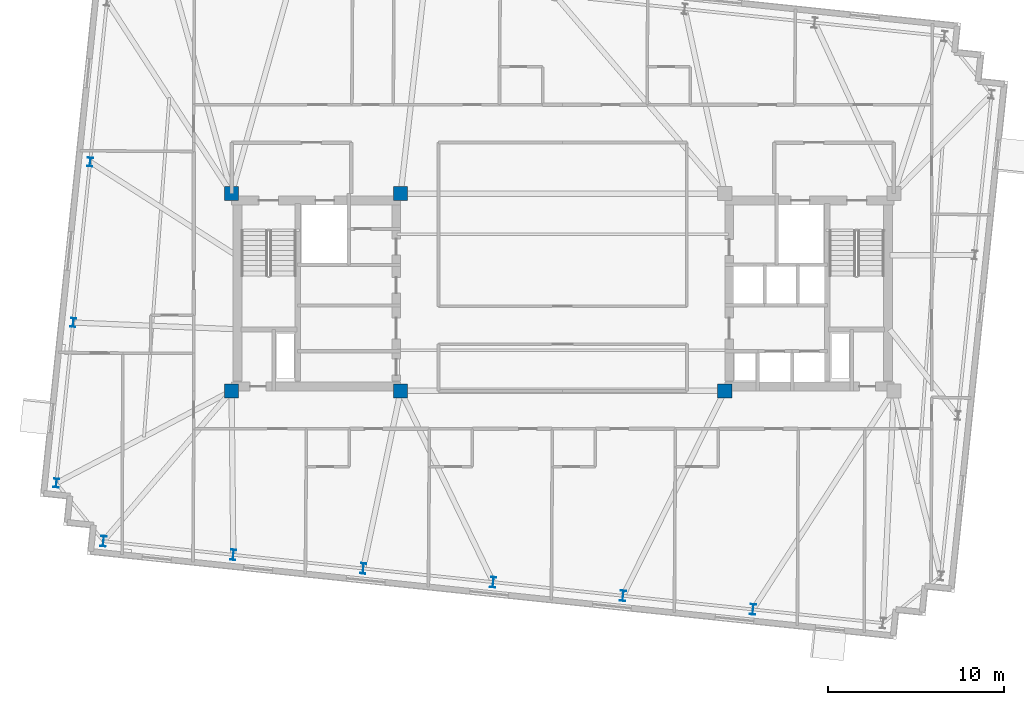
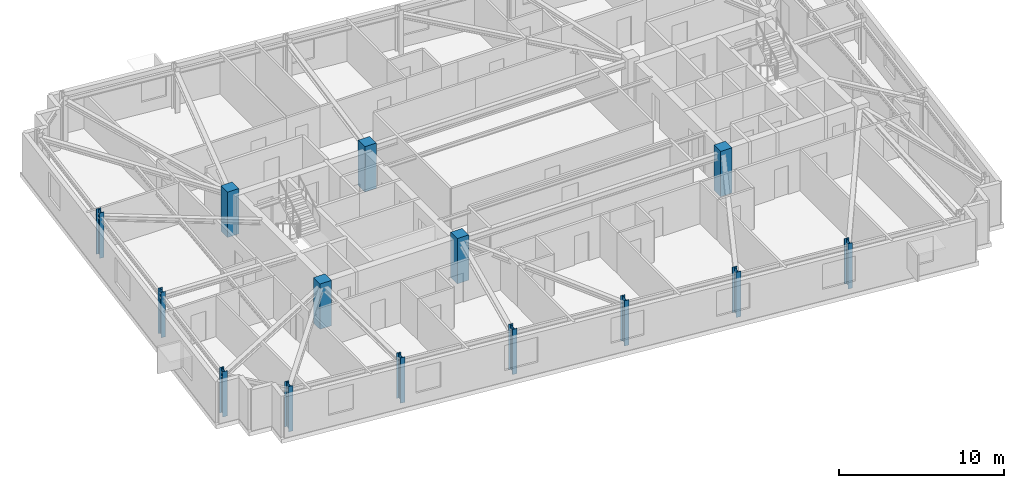
# One storey, part 1 of 11: 14 columns.
"""IFC4 building model written with IfcOpenShell, lengths in metres."""

from ifc_helpers import new_model, si_unit, direction, frame, origin, origin_2d, place, context, subcontext, project, spatial, rectangle, i_section, extrude, material, material_profile, profile_set, type_object, element, save


model = new_model("IFC4")

# Units and contexts
model_context = context("Model", 3, precision=1e-05, world=origin(), true_north=direction((0.0, 1.0)))
body_context = subcontext(model_context, "Body", "Model", "MODEL_VIEW")
ifc_project = project(units=[si_unit("LENGTHUNIT", "METRE"), si_unit("AREAUNIT", "SQUARE_METRE"), si_unit("VOLUMEUNIT", "CUBIC_METRE"), si_unit("PLANEANGLEUNIT", "RADIAN"), si_unit("MASSUNIT", "GRAM", prefix="KILO")], contexts=[model_context])

# Site, building, storey
site_placement = place(None, origin())
site = spatial("IfcSite", under=ifc_project, at=site_placement, CompositionType="ELEMENT")
building_placement = place(site_placement, origin())
building = spatial("IfcBuilding", under=site, at=building_placement, Name="Qobustan Lattice House", CompositionType="ELEMENT")
storey_placement = place(building_placement, frame((0.0, 0.0, 206.449951171875)))
storey = spatial("IfcBuildingStorey", under=building, at=storey_placement, Name="L58", CompositionType="ELEMENT", Elevation=206.449951171875)

# Columns
ifc_material_1 = material(Name="Concrete C50/60", Category="concrete")
ifc_material_profile_1 = material_profile(ifc_material_1, rectangle(XDim=0.800048828125, YDim=0.800048828125, at=origin_2d()), Name="RC800x800")
ifc_profile_set_1 = profile_set([ifc_material_profile_1], Name="Concrete C50/60")
column_type_1 = type_object("IfcColumnType", Name="COL-RC-800", PredefinedType="COLUMN", material=ifc_profile_set_1)
for number, where, z_axis, x_axis, name in (
    (1, (-18.800048828125, -5.60009765625, 0.0), (0.0, 0.0, 1.0), (1.0, 0.0, 0.0), "L58 core mega-column CW-SW"),
    (2, (-18.800048828125, 5.60009765625, 0.0), (0.0, 0.0, 1.0), (1.0, 0.0, 0.0), "L58 core mega-column CW-NW"),
    (3, (-9.199951171875, -5.60009765625, 0.0), (0.0, 0.0, 1.0), (1.0, 0.0, 0.0), "L58 core mega-column CW-SE"),
    (4, (-9.199951171875, 5.60009765625, 0.0), (0.0, 0.0, 1.0), (1.0, 0.0, 0.0), "L58 core mega-column CW-NE"),
    (5, (9.199951171875, -5.60009765625, 0.0), (0.0, 0.0, 1.0), (1.0, 0.0, 0.0), "L58 core mega-column CE-SW"),
):
    element("IfcColumn", number, at=place(storey_placement, frame(where, z_axis=z_axis, x_axis=x_axis)), inside=storey, type_object=column_type_1, Name=name, PredefinedType="COLUMN", context=body_context, shape_type="SweptSolid", body=[
        extrude(rectangle(XDim=0.800048828125, YDim=0.800048828125, at=origin_2d()), origin(), (0.0, 0.0, 1.0), 3.35009765625),
    ])
ifc_material_2 = material(Name="Steel S355", Category="steel")
ifc_material_profile_2 = material_profile(ifc_material_2, i_section(OverallWidth=0.300048828125, OverallDepth=0.5, WebThickness=0.014404296875, FlangeThickness=0.028076171875, FilletRadius=0.027099609375, at=origin_2d()), Name="HEB500")
ifc_profile_set_2 = profile_set([ifc_material_profile_2], Name="Steel S355")
column_type_2 = type_object("IfcColumnType", Name="COL-ST-HEB500", PredefinedType="COLUMN", material=ifc_profile_set_2)
for number, where, z_axis, x_axis, name in (
    (6, (-26.83251953125, 7.397705078125, 0.0), (0.0, 0.0, 1.0), (0.994521895368, -0.104528463268, 0.0), "L58 B4 perimeter column W2"),
    (7, (-27.790771484375, -1.718994140625, 0.0), (0.0, 0.0, 1.0), (0.994521895368, -0.104528463268, 0.0), "L58 B4 perimeter column W3"),
    (8, (-28.748779296875, -10.835205078125, 0.0), (0.0, 0.0, 1.0), (0.994521895368, -0.104528463268, 0.0), "L58 B4 perimeter column W4"),
):
    element("IfcColumn", number, at=place(storey_placement, frame(where, z_axis=z_axis, x_axis=x_axis)), inside=storey, type_object=column_type_2, Name=name, PredefinedType="COLUMN", context=body_context, shape_type="SweptSolid", body=[
        extrude(i_section(OverallWidth=0.300048828125, OverallDepth=0.5, WebThickness=0.014404296875, FlangeThickness=0.028076171875, FilletRadius=0.027099609375, at=origin_2d()), origin(), (0.0, 0.0, 1.0), 3.35009765625),
    ])
ifc_material_3 = material(Name="Steel S355", Category="steel")
ifc_material_profile_3 = material_profile(ifc_material_3, i_section(OverallWidth=0.300048828125, OverallDepth=0.60009765625, WebThickness=0.015380859375, FlangeThickness=0.030029296875, FilletRadius=0.027099609375, at=origin_2d()), Name="HEB600")
ifc_profile_set_3 = profile_set([ifc_material_profile_3], Name="Steel S355")
column_type_3 = type_object("IfcColumnType", Name="COL-ST-HEB600", PredefinedType="COLUMN", material=ifc_profile_set_3)
for number, where, z_axis, x_axis, name in (
    (9, (-26.0791015625, -14.132568359375, 0.0), (0.0, 0.0, 1.0), (0.994521895368, -0.104528463268, 0.0), "L58 B4 perimeter column S1"),
    (10, (-18.702880859375, -14.90771484375, 0.0), (0.0, 0.0, 1.0), (0.994521895368, -0.104528463268, 0.0), "L58 B4 perimeter column S2"),
    (11, (-11.326904296875, -15.68310546875, 0.0), (0.0, 0.0, 1.0), (0.994521895368, -0.104528463268, 0.0), "L58 B4 perimeter column S3"),
    (12, (-3.950927734375, -16.458251953125, 0.0), (0.0, 0.0, 1.0), (0.994521895368, -0.104528463268, 0.0), "L58 B4 perimeter column S4"),
    (13, (3.42529296875, -17.2333984375, 0.0), (0.0, 0.0, 1.0), (0.994521895368, -0.104528463268, 0.0), "L58 B4 perimeter column S5"),
    (14, (10.80126953125, -18.0087890625, 0.0), (0.0, 0.0, 1.0), (0.994521895368, -0.104528463268, 0.0), "L58 B4 perimeter column S6"),
):
    element("IfcColumn", number, at=place(storey_placement, frame(where, z_axis=z_axis, x_axis=x_axis)), inside=storey, type_object=column_type_3, Name=name, PredefinedType="COLUMN", context=body_context, shape_type="SweptSolid", body=[
        extrude(i_section(OverallWidth=0.300048828125, OverallDepth=0.60009765625, WebThickness=0.015380859375, FlangeThickness=0.030029296875, FilletRadius=0.027099609375, at=origin_2d()), origin(), (0.0, 0.0, 1.0), 3.35009765625),
    ])

save(model, "model.ifc")
